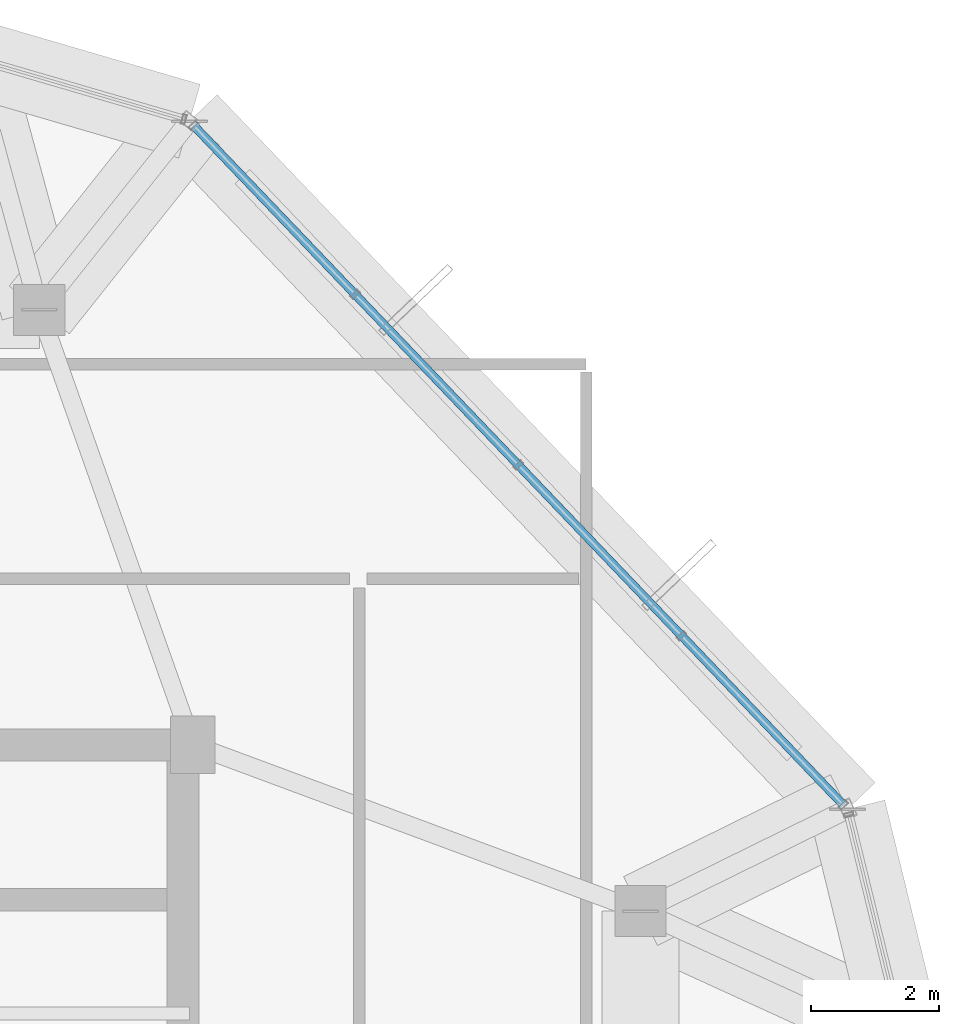
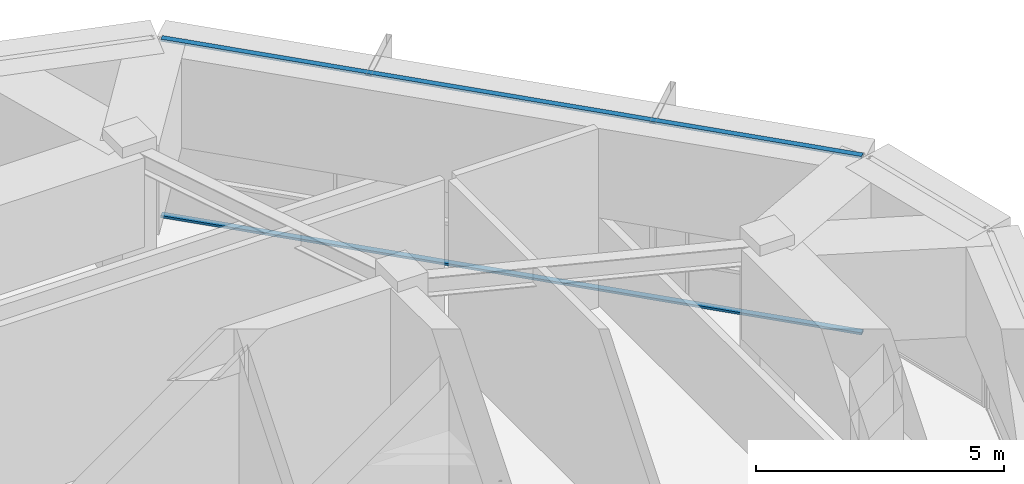
# One storey, part 23 of 39: 2 members, 1 element without a shape of its own.
"""IFC4 building model written with IfcOpenShell, lengths in metres."""

from ifc_helpers import new_model, si_unit, direction, frame, origin, origin_2d, place, context, subcontext, project, spatial, hollow_rectangle, extrude, source, transform, mapped, material, layer, layer_set, material_profile, profile_set, type_object, element, aggregate, save


model = new_model("IFC4")

# Units and contexts
model_context = context("Model", 3, precision=1e-05, world=origin(), true_north=direction((0.0, 1.0)))
body_context = subcontext(model_context, "Body", "Model", "MODEL_VIEW")
ifc_project = project(units=[si_unit("LENGTHUNIT", "METRE"), si_unit("AREAUNIT", "SQUARE_METRE"), si_unit("VOLUMEUNIT", "CUBIC_METRE"), si_unit("PLANEANGLEUNIT", "RADIAN"), si_unit("MASSUNIT", "GRAM", prefix="KILO")], contexts=[model_context])

# Site, building, storey
site_placement = place(None, origin())
site = spatial("IfcSite", under=ifc_project, at=site_placement, CompositionType="ELEMENT")
building_placement = place(site_placement, origin())
building = spatial("IfcBuilding", under=site, at=building_placement, Name="Veraguas Prism Commons", CompositionType="ELEMENT")
storey_placement = place(building_placement, frame((0.0, 0.0, 264.25)))
storey = spatial("IfcBuildingStorey", under=building, at=storey_placement, Name="L75", CompositionType="ELEMENT", Elevation=264.25)

# Curtain wall, members
ifc_material = material(Name="Anodised aluminium EN AW-6063 T6", Category="aluminium")
ifc_layer = layer(ifc_material, 0.14990234375, Name="Unitised Flush Curtain Wall Zone 4", Category="aluminium")
ifc_layer_set = layer_set([ifc_layer], Name="Anodised aluminium EN AW-6063 T6")
curtain_wall_type = type_object("IfcCurtainWallType", Name="Unitised Flush Curtain Wall Zone 4", PredefinedType="NOTDEFINED", material=ifc_layer_set)
curtain_wall_placement = place(storey_placement, origin())
curtain_wall = element("IfcCurtainWall", 1, at=curtain_wall_placement, inside=storey, type_object=curtain_wall_type, Name="Tower Facade Curtain Wall L75-F1", PredefinedType="NOTDEFINED")
ifc_material_profile = material_profile(ifc_material, hollow_rectangle(XDim=0.054931640625, YDim=0.135009765625, WallThickness=0.0029296875, at=origin_2d()), Name="AL55X135X3")
ifc_profile_set = profile_set([ifc_material_profile], Name="Anodised aluminium EN AW-6063 T6")
member_type = type_object("IfcMemberType", Name="Curtain Wall Transom Standard AL 55x135x3", PredefinedType="USERDEFINED", material=ifc_profile_set)
shared_shape = source(origin(), body_context, "Body", "SweptSolid", [
    extrude(hollow_rectangle(XDim=0.054931640625, YDim=0.135009765625, WallThickness=0.0029296875, at=origin_2d()), origin(), (0.0, 0.0, 1.0), 14.706298828125),
])
member_1_placement = place(storey_placement, frame((40.97412109375, 30.057861328125, 0.027587890625), z_axis=(-0.691134440631, 0.722726217162, 0.0), x_axis=(0.0, 0.0, 1.0)))
member_1 = element("IfcMember", 2, at=member_1_placement, type_object=member_type, Name="CW-Z4 Transom 1", ObjectType="TRANSOM", PredefinedType="USERDEFINED", context=body_context, shape_type="MappedRepresentation", body=[
    mapped(shared_shape, transform((0.0, 0.0, 0.0), scale=1.0)),
])
member_2_placement = place(storey_placement, frame((40.97412109375, 30.057861328125, 4.362548828125), z_axis=(-0.691134440631, 0.722726217162, 0.0), x_axis=(0.0, 0.0, 1.0)))
member_2 = element("IfcMember", 3, at=member_2_placement, type_object=member_type, Name="CW-Z4 Transom 2", ObjectType="TRANSOM", PredefinedType="USERDEFINED", context=body_context, shape_type="MappedRepresentation", body=[
    mapped(shared_shape, transform((0.0, 0.0, 0.0), scale=1.0)),
])
aggregate(curtain_wall, [member_1, member_2])

save(model, "model.ifc")
